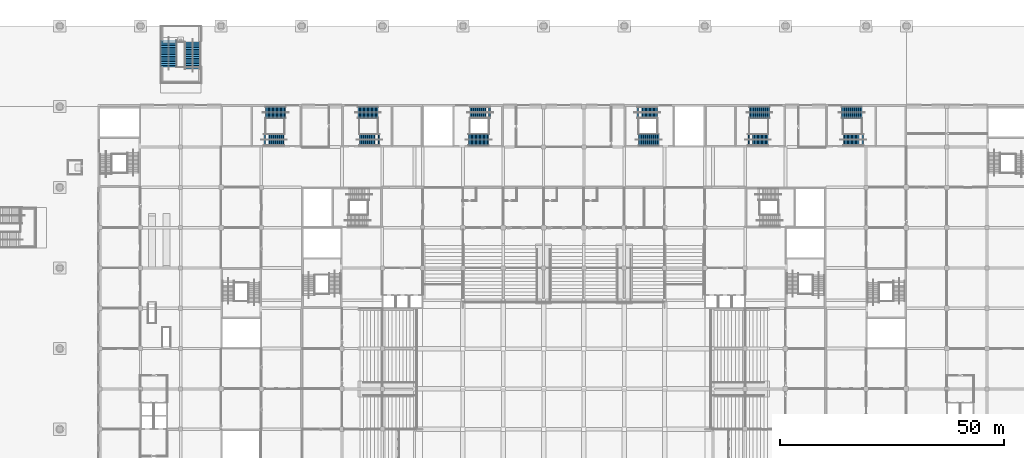
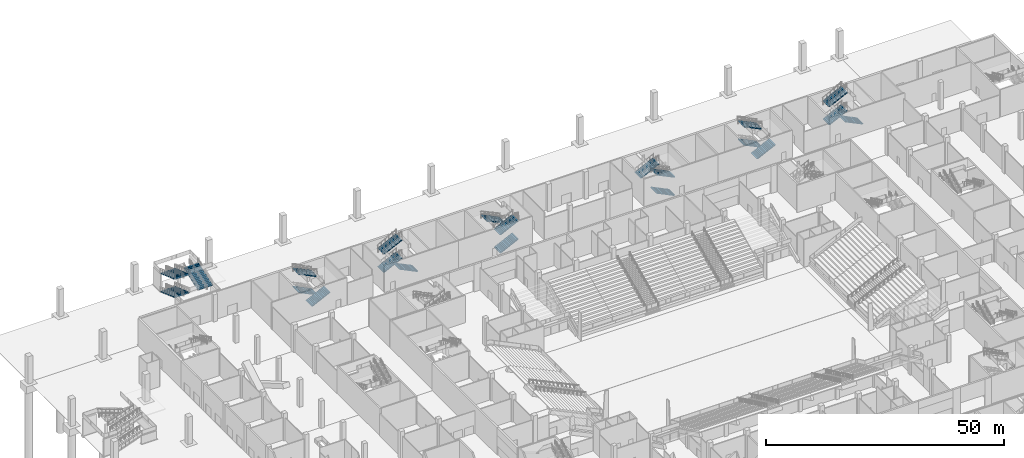
# One storey, part 46 of 92: 21 stair flights, 7 elements without a shape of their own.
"""IFC4 building model written with IfcOpenShell, lengths in metres."""

from ifc_helpers import new_model, si_unit, direction, frame, origin, place, context, subcontext, project, spatial, polyline, outline, extrude, material, type_object, element, aggregate, save


model = new_model("IFC4")

# Units and contexts
model_context = context("Model", 3, precision=1e-05, world=origin(), true_north=direction((0.0, 1.0)))
body_context = subcontext(model_context, "Body", "Model", "MODEL_VIEW")
ifc_project = project(units=[si_unit("LENGTHUNIT", "METRE"), si_unit("AREAUNIT", "SQUARE_METRE"), si_unit("VOLUMEUNIT", "CUBIC_METRE"), si_unit("PLANEANGLEUNIT", "RADIAN"), si_unit("MASSUNIT", "GRAM", prefix="KILO")], contexts=[model_context])

# Site, building, storey
site_placement = place(None, origin())
site = spatial("IfcSite", under=ifc_project, at=site_placement, CompositionType="ELEMENT")
building_placement = place(site_placement, origin())
building = spatial("IfcBuilding", under=site, at=building_placement, Name="Silverbay Arena", CompositionType="ELEMENT")
storey_placement = place(building_placement, origin())
storey = spatial("IfcBuildingStorey", under=building, at=storey_placement, Name="L00", CompositionType="ELEMENT", Elevation=0.0)

# Stair, stair flights
ifc_material_1 = material(Name="Concrete Grade C45", Category="concrete")
stair_type_1 = type_object("IfcStairType", Name="Stair 2600 wide 48 risers 145.8 x 300", PredefinedType="HALF_TURN_STAIR", material=ifc_material_1)
stair_1_placement = place(storey_placement, origin())
stair_1 = element("IfcStair", 1, at=stair_1_placement, inside=storey, type_object=stair_type_1, Name="Stair ST-N1 L00 to L01", PredefinedType="HALF_TURN_STAIR")
ifc_material_2 = material(Name="Concrete Grade C45", Category="concrete")
stair_flight_type_1 = type_object("IfcStairFlightType", Name="Stair flight 2600 wide 16 risers 145.8 x 300", PredefinedType="STRAIGHT", material=ifc_material_2)
stair_flight_1_placement = place(storey_placement, frame((84.556884765625, 142.699951171875, 0.0), z_axis=(0.0, 0.0, 1.0), x_axis=(1.0, 0.0, 0.0)))
stair_flight_1 = element("IfcStairFlight", 2, at=stair_flight_1_placement, type_object=stair_flight_type_1, Name="Stair ST-N1 L00 to L01 flight 1", NumberOfRisers=16, NumberOfTreads=15, PredefinedType="STRAIGHT", RiserHeight=0.145833333, TreadLength=0.3, context=body_context, shape_type="SweptSolid", body=[
    extrude(outline(polyline([(0.0, 0.0), (0.0, 0.145751953125), (0.300048828125, 0.145751953125), (0.300048828125, 0.291748046875), (0.60009765625, 0.291748046875), (0.60009765625, 0.4375), (0.89990234375, 0.4375), (0.89990234375, 0.583251953125), (1.199951171875, 0.583251953125), (1.199951171875, 0.729248046875), (1.5, 0.729248046875), (1.5, 0.875), (1.800048828125, 0.875), (1.800048828125, 1.020751953125), (2.10009765625, 1.020751953125), (2.10009765625, 1.166748046875), (2.39990234375, 1.166748046875), (2.39990234375, 1.3125), (2.699951171875, 1.3125), (2.699951171875, 1.458251953125), (3.0, 1.458251953125), (3.0, 1.604248046875), (3.300048828125, 1.604248046875), (3.300048828125, 1.75), (3.60009765625, 1.75), (3.60009765625, 1.895751953125), (3.89990234375, 1.895751953125), (3.89990234375, 2.041748046875), (4.199951171875, 2.041748046875), (4.199951171875, 2.1875), (4.5, 2.1875), (4.5, 2.020751953125), (0.3427734375, 0.0), (0.0, 0.0)])), frame((0.0, 1.300048828125, 0.0), z_axis=(0.0, -1.0, 0.0), x_axis=(1.0, 0.0, 0.0)), (0.0, 0.0, 1.0), 2.60009765625),
])
stair_flight_2_placement = place(storey_placement, frame((89.39990234375, 136.60009765625, 2.333251953125), z_axis=(0.0, 0.0, 1.0), x_axis=(-1.0, 0.0, 0.0)))
stair_flight_2 = element("IfcStairFlight", 3, at=stair_flight_2_placement, type_object=stair_flight_type_1, Name="Stair ST-N1 L00 to L01 flight 2", NumberOfRisers=16, NumberOfTreads=15, PredefinedType="STRAIGHT", RiserHeight=0.145833333, TreadLength=0.3, context=body_context, shape_type="SweptSolid", body=[
    extrude(outline(polyline([(0.0, 0.0), (0.0, 0.145751953125), (0.300048828125, 0.145751953125), (0.300048828125, 0.291748046875), (0.60009765625, 0.291748046875), (0.60009765625, 0.4375), (0.89990234375, 0.4375), (0.89990234375, 0.583251953125), (1.199951171875, 0.583251953125), (1.199951171875, 0.729248046875), (1.5, 0.729248046875), (1.5, 0.875), (1.800048828125, 0.875), (1.800048828125, 1.020751953125), (2.10009765625, 1.020751953125), (2.10009765625, 1.166748046875), (2.39990234375, 1.166748046875), (2.39990234375, 1.3125), (2.699951171875, 1.3125), (2.699951171875, 1.458251953125), (3.0, 1.458251953125), (3.0, 1.604248046875), (3.300048828125, 1.604248046875), (3.300048828125, 1.75), (3.60009765625, 1.75), (3.60009765625, 1.895751953125), (3.89990234375, 1.895751953125), (3.89990234375, 2.041748046875), (4.199951171875, 2.041748046875), (4.199951171875, 2.1875), (4.5, 2.1875), (4.5, 2.020751953125), (0.3427734375, 0.0), (0.0, 0.0)])), frame((0.0, 1.300048828125, 0.0), z_axis=(0.0, -1.0, 0.0), x_axis=(1.0, 0.0, 0.0)), (0.0, 0.0, 1.0), 2.60009765625),
])
stair_flight_3_placement = place(storey_placement, frame((84.556884765625, 142.699951171875, 4.666748046875), z_axis=(0.0, 0.0, 1.0), x_axis=(1.0, 0.0, 0.0)))
stair_flight_3 = element("IfcStairFlight", 4, at=stair_flight_3_placement, type_object=stair_flight_type_1, Name="Stair ST-N1 L00 to L01 flight 3", NumberOfRisers=16, NumberOfTreads=15, PredefinedType="STRAIGHT", RiserHeight=0.145833333, TreadLength=0.3, context=body_context, shape_type="SweptSolid", body=[
    extrude(outline(polyline([(0.0, 0.0), (0.0, 0.145751953125), (0.300048828125, 0.145751953125), (0.300048828125, 0.291748046875), (0.60009765625, 0.291748046875), (0.60009765625, 0.4375), (0.89990234375, 0.4375), (0.89990234375, 0.583251953125), (1.199951171875, 0.583251953125), (1.199951171875, 0.729248046875), (1.5, 0.729248046875), (1.5, 0.875), (1.800048828125, 0.875), (1.800048828125, 1.020751953125), (2.10009765625, 1.020751953125), (2.10009765625, 1.166748046875), (2.39990234375, 1.166748046875), (2.39990234375, 1.3125), (2.699951171875, 1.3125), (2.699951171875, 1.458251953125), (3.0, 1.458251953125), (3.0, 1.604248046875), (3.300048828125, 1.604248046875), (3.300048828125, 1.75), (3.60009765625, 1.75), (3.60009765625, 1.895751953125), (3.89990234375, 1.895751953125), (3.89990234375, 2.041748046875), (4.199951171875, 2.041748046875), (4.199951171875, 2.1875), (4.5, 2.1875), (4.5, 2.020751953125), (0.3427734375, 0.0), (0.0, 0.0)])), frame((0.0, 1.300048828125, 0.0), z_axis=(0.0, -1.0, 0.0), x_axis=(1.0, 0.0, 0.0)), (0.0, 0.0, 1.0), 2.60009765625),
])
aggregate(stair_1, [stair_flight_1, stair_flight_2, stair_flight_3])

stair_2_placement = place(storey_placement, origin())
stair_2 = element("IfcStair", 5, at=stair_2_placement, inside=storey, type_object=stair_type_1, Name="Stair ST-N2 L00 to L01", PredefinedType="HALF_TURN_STAIR")
stair_flight_4_placement = place(storey_placement, frame((109.2568359375, 136.60009765625, 0.0), z_axis=(0.0, 0.0, 1.0), x_axis=(1.0, 0.0, 0.0)))
stair_flight_4 = element("IfcStairFlight", 6, at=stair_flight_4_placement, type_object=stair_flight_type_1, Name="Stair ST-N2 L00 to L01 flight 1", NumberOfRisers=16, NumberOfTreads=15, PredefinedType="STRAIGHT", RiserHeight=0.145833333, TreadLength=0.3, context=body_context, shape_type="SweptSolid", body=[
    extrude(outline(polyline([(0.0, 0.0), (0.0, 0.145751953125), (0.300048828125, 0.145751953125), (0.300048828125, 0.291748046875), (0.60009765625, 0.291748046875), (0.60009765625, 0.4375), (0.89990234375, 0.4375), (0.89990234375, 0.583251953125), (1.199951171875, 0.583251953125), (1.199951171875, 0.729248046875), (1.5, 0.729248046875), (1.5, 0.875), (1.800048828125, 0.875), (1.800048828125, 1.020751953125), (2.10009765625, 1.020751953125), (2.10009765625, 1.166748046875), (2.39990234375, 1.166748046875), (2.39990234375, 1.3125), (2.699951171875, 1.3125), (2.699951171875, 1.458251953125), (3.0, 1.458251953125), (3.0, 1.604248046875), (3.300048828125, 1.604248046875), (3.300048828125, 1.75), (3.60009765625, 1.75), (3.60009765625, 1.895751953125), (3.89990234375, 1.895751953125), (3.89990234375, 2.041748046875), (4.199951171875, 2.041748046875), (4.199951171875, 2.1875), (4.5, 2.1875), (4.5, 2.020751953125), (0.3427734375, 0.0), (0.0, 0.0)])), frame((0.0, 1.300048828125, 0.0), z_axis=(0.0, -1.0, 0.0), x_axis=(1.0, 0.0, 0.0)), (0.0, 0.0, 1.0), 2.60009765625),
])
stair_flight_5_placement = place(storey_placement, frame((114.10009765625, 142.699951171875, 2.333251953125), z_axis=(0.0, 0.0, 1.0), x_axis=(-1.0, 0.0, 0.0)))
stair_flight_5 = element("IfcStairFlight", 7, at=stair_flight_5_placement, type_object=stair_flight_type_1, Name="Stair ST-N2 L00 to L01 flight 2", NumberOfRisers=16, NumberOfTreads=15, PredefinedType="STRAIGHT", RiserHeight=0.145833333, TreadLength=0.3, context=body_context, shape_type="SweptSolid", body=[
    extrude(outline(polyline([(0.0, 0.0), (0.0, 0.145751953125), (0.300048828125, 0.145751953125), (0.300048828125, 0.291748046875), (0.60009765625, 0.291748046875), (0.60009765625, 0.4375), (0.89990234375, 0.4375), (0.89990234375, 0.583251953125), (1.199951171875, 0.583251953125), (1.199951171875, 0.729248046875), (1.5, 0.729248046875), (1.5, 0.875), (1.800048828125, 0.875), (1.800048828125, 1.020751953125), (2.10009765625, 1.020751953125), (2.10009765625, 1.166748046875), (2.39990234375, 1.166748046875), (2.39990234375, 1.3125), (2.699951171875, 1.3125), (2.699951171875, 1.458251953125), (3.0, 1.458251953125), (3.0, 1.604248046875), (3.300048828125, 1.604248046875), (3.300048828125, 1.75), (3.60009765625, 1.75), (3.60009765625, 1.895751953125), (3.89990234375, 1.895751953125), (3.89990234375, 2.041748046875), (4.199951171875, 2.041748046875), (4.199951171875, 2.1875), (4.5, 2.1875), (4.5, 2.020751953125), (0.3427734375, 0.0), (0.0, 0.0)])), frame((0.0, 1.300048828125, 0.0), z_axis=(0.0, -1.0, 0.0), x_axis=(1.0, 0.0, 0.0)), (0.0, 0.0, 1.0), 2.60009765625),
])
stair_flight_6_placement = place(storey_placement, frame((109.2568359375, 136.60009765625, 4.666748046875), z_axis=(0.0, 0.0, 1.0), x_axis=(1.0, 0.0, 0.0)))
stair_flight_6 = element("IfcStairFlight", 8, at=stair_flight_6_placement, type_object=stair_flight_type_1, Name="Stair ST-N2 L00 to L01 flight 3", NumberOfRisers=16, NumberOfTreads=15, PredefinedType="STRAIGHT", RiserHeight=0.145833333, TreadLength=0.3, context=body_context, shape_type="SweptSolid", body=[
    extrude(outline(polyline([(0.0, 0.0), (0.0, 0.145751953125), (0.300048828125, 0.145751953125), (0.300048828125, 0.291748046875), (0.60009765625, 0.291748046875), (0.60009765625, 0.4375), (0.89990234375, 0.4375), (0.89990234375, 0.583251953125), (1.199951171875, 0.583251953125), (1.199951171875, 0.729248046875), (1.5, 0.729248046875), (1.5, 0.875), (1.800048828125, 0.875), (1.800048828125, 1.020751953125), (2.10009765625, 1.020751953125), (2.10009765625, 1.166748046875), (2.39990234375, 1.166748046875), (2.39990234375, 1.3125), (2.699951171875, 1.3125), (2.699951171875, 1.458251953125), (3.0, 1.458251953125), (3.0, 1.604248046875), (3.300048828125, 1.604248046875), (3.300048828125, 1.75), (3.60009765625, 1.75), (3.60009765625, 1.895751953125), (3.89990234375, 1.895751953125), (3.89990234375, 2.041748046875), (4.199951171875, 2.041748046875), (4.199951171875, 2.1875), (4.5, 2.1875), (4.5, 2.020751953125), (0.3427734375, 0.0), (0.0, 0.0)])), frame((0.0, 1.300048828125, 0.0), z_axis=(0.0, -1.0, 0.0), x_axis=(1.0, 0.0, 0.0)), (0.0, 0.0, 1.0), 2.60009765625),
])
aggregate(stair_2, [stair_flight_4, stair_flight_5, stair_flight_6])

stair_3_placement = place(storey_placement, origin())
stair_3 = element("IfcStair", 9, at=stair_3_placement, inside=storey, type_object=stair_type_1, Name="Stair ST-N3 L00 to L01", PredefinedType="HALF_TURN_STAIR")
stair_flight_7_placement = place(storey_placement, frame((151.7431640625, 136.60009765625, 0.0), z_axis=(0.0, 0.0, 1.0), x_axis=(-1.0, 0.0, 0.0)))
stair_flight_7 = element("IfcStairFlight", 10, at=stair_flight_7_placement, type_object=stair_flight_type_1, Name="Stair ST-N3 L00 to L01 flight 1", NumberOfRisers=16, NumberOfTreads=15, PredefinedType="STRAIGHT", RiserHeight=0.145833333, TreadLength=0.3, context=body_context, shape_type="SweptSolid", body=[
    extrude(outline(polyline([(0.0, 0.0), (0.0, 0.145751953125), (0.300048828125, 0.145751953125), (0.300048828125, 0.291748046875), (0.60009765625, 0.291748046875), (0.60009765625, 0.4375), (0.89990234375, 0.4375), (0.89990234375, 0.583251953125), (1.199951171875, 0.583251953125), (1.199951171875, 0.729248046875), (1.5, 0.729248046875), (1.5, 0.875), (1.800048828125, 0.875), (1.800048828125, 1.020751953125), (2.10009765625, 1.020751953125), (2.10009765625, 1.166748046875), (2.39990234375, 1.166748046875), (2.39990234375, 1.3125), (2.699951171875, 1.3125), (2.699951171875, 1.458251953125), (3.0, 1.458251953125), (3.0, 1.604248046875), (3.300048828125, 1.604248046875), (3.300048828125, 1.75), (3.60009765625, 1.75), (3.60009765625, 1.895751953125), (3.89990234375, 1.895751953125), (3.89990234375, 2.041748046875), (4.199951171875, 2.041748046875), (4.199951171875, 2.1875), (4.5, 2.1875), (4.5, 2.020751953125), (0.3427734375, 0.0), (0.0, 0.0)])), frame((0.0, 1.300048828125, 0.0), z_axis=(0.0, -1.0, 0.0), x_axis=(1.0, 0.0, 0.0)), (0.0, 0.0, 1.0), 2.60009765625),
])
stair_flight_8_placement = place(storey_placement, frame((146.89990234375, 142.699951171875, 2.333251953125), z_axis=(0.0, 0.0, 1.0), x_axis=(1.0, 0.0, 0.0)))
stair_flight_8 = element("IfcStairFlight", 11, at=stair_flight_8_placement, type_object=stair_flight_type_1, Name="Stair ST-N3 L00 to L01 flight 2", NumberOfRisers=16, NumberOfTreads=15, PredefinedType="STRAIGHT", RiserHeight=0.145833333, TreadLength=0.3, context=body_context, shape_type="SweptSolid", body=[
    extrude(outline(polyline([(0.0, 0.0), (0.0, 0.145751953125), (0.300048828125, 0.145751953125), (0.300048828125, 0.291748046875), (0.60009765625, 0.291748046875), (0.60009765625, 0.4375), (0.89990234375, 0.4375), (0.89990234375, 0.583251953125), (1.199951171875, 0.583251953125), (1.199951171875, 0.729248046875), (1.5, 0.729248046875), (1.5, 0.875), (1.800048828125, 0.875), (1.800048828125, 1.020751953125), (2.10009765625, 1.020751953125), (2.10009765625, 1.166748046875), (2.39990234375, 1.166748046875), (2.39990234375, 1.3125), (2.699951171875, 1.3125), (2.699951171875, 1.458251953125), (3.0, 1.458251953125), (3.0, 1.604248046875), (3.300048828125, 1.604248046875), (3.300048828125, 1.75), (3.60009765625, 1.75), (3.60009765625, 1.895751953125), (3.89990234375, 1.895751953125), (3.89990234375, 2.041748046875), (4.199951171875, 2.041748046875), (4.199951171875, 2.1875), (4.5, 2.1875), (4.5, 2.020751953125), (0.3427734375, 0.0), (0.0, 0.0)])), frame((0.0, 1.300048828125, 0.0), z_axis=(0.0, -1.0, 0.0), x_axis=(1.0, 0.0, 0.0)), (0.0, 0.0, 1.0), 2.60009765625),
])
stair_flight_9_placement = place(storey_placement, frame((151.7431640625, 136.60009765625, 4.666748046875), z_axis=(0.0, 0.0, 1.0), x_axis=(-1.0, 0.0, 0.0)))
stair_flight_9 = element("IfcStairFlight", 12, at=stair_flight_9_placement, type_object=stair_flight_type_1, Name="Stair ST-N3 L00 to L01 flight 3", NumberOfRisers=16, NumberOfTreads=15, PredefinedType="STRAIGHT", RiserHeight=0.145833333, TreadLength=0.3, context=body_context, shape_type="SweptSolid", body=[
    extrude(outline(polyline([(0.0, 0.0), (0.0, 0.145751953125), (0.300048828125, 0.145751953125), (0.300048828125, 0.291748046875), (0.60009765625, 0.291748046875), (0.60009765625, 0.4375), (0.89990234375, 0.4375), (0.89990234375, 0.583251953125), (1.199951171875, 0.583251953125), (1.199951171875, 0.729248046875), (1.5, 0.729248046875), (1.5, 0.875), (1.800048828125, 0.875), (1.800048828125, 1.020751953125), (2.10009765625, 1.020751953125), (2.10009765625, 1.166748046875), (2.39990234375, 1.166748046875), (2.39990234375, 1.3125), (2.699951171875, 1.3125), (2.699951171875, 1.458251953125), (3.0, 1.458251953125), (3.0, 1.604248046875), (3.300048828125, 1.604248046875), (3.300048828125, 1.75), (3.60009765625, 1.75), (3.60009765625, 1.895751953125), (3.89990234375, 1.895751953125), (3.89990234375, 2.041748046875), (4.199951171875, 2.041748046875), (4.199951171875, 2.1875), (4.5, 2.1875), (4.5, 2.020751953125), (0.3427734375, 0.0), (0.0, 0.0)])), frame((0.0, 1.300048828125, 0.0), z_axis=(0.0, -1.0, 0.0), x_axis=(1.0, 0.0, 0.0)), (0.0, 0.0, 1.0), 2.60009765625),
])
aggregate(stair_3, [stair_flight_7, stair_flight_8, stair_flight_9])

stair_4_placement = place(storey_placement, origin())
stair_4 = element("IfcStair", 13, at=stair_4_placement, inside=storey, type_object=stair_type_1, Name="Stair ST-N4 L00 to L01", PredefinedType="HALF_TURN_STAIR")
stair_flight_10_placement = place(storey_placement, frame((176.443115234375, 142.699951171875, 0.0), z_axis=(0.0, 0.0, 1.0), x_axis=(-1.0, 0.0, 0.0)))
stair_flight_10 = element("IfcStairFlight", 14, at=stair_flight_10_placement, type_object=stair_flight_type_1, Name="Stair ST-N4 L00 to L01 flight 1", NumberOfRisers=16, NumberOfTreads=15, PredefinedType="STRAIGHT", RiserHeight=0.145833333, TreadLength=0.3, context=body_context, shape_type="SweptSolid", body=[
    extrude(outline(polyline([(0.0, 0.0), (0.0, 0.145751953125), (0.300048828125, 0.145751953125), (0.300048828125, 0.291748046875), (0.60009765625, 0.291748046875), (0.60009765625, 0.4375), (0.89990234375, 0.4375), (0.89990234375, 0.583251953125), (1.199951171875, 0.583251953125), (1.199951171875, 0.729248046875), (1.5, 0.729248046875), (1.5, 0.875), (1.800048828125, 0.875), (1.800048828125, 1.020751953125), (2.10009765625, 1.020751953125), (2.10009765625, 1.166748046875), (2.39990234375, 1.166748046875), (2.39990234375, 1.3125), (2.699951171875, 1.3125), (2.699951171875, 1.458251953125), (3.0, 1.458251953125), (3.0, 1.604248046875), (3.300048828125, 1.604248046875), (3.300048828125, 1.75), (3.60009765625, 1.75), (3.60009765625, 1.895751953125), (3.89990234375, 1.895751953125), (3.89990234375, 2.041748046875), (4.199951171875, 2.041748046875), (4.199951171875, 2.1875), (4.5, 2.1875), (4.5, 2.020751953125), (0.3427734375, 0.0), (0.0, 0.0)])), frame((0.0, 1.300048828125, 0.0), z_axis=(0.0, -1.0, 0.0), x_axis=(1.0, 0.0, 0.0)), (0.0, 0.0, 1.0), 2.60009765625),
])
stair_flight_11_placement = place(storey_placement, frame((171.60009765625, 136.60009765625, 2.333251953125), z_axis=(0.0, 0.0, 1.0), x_axis=(1.0, 0.0, 0.0)))
stair_flight_11 = element("IfcStairFlight", 15, at=stair_flight_11_placement, type_object=stair_flight_type_1, Name="Stair ST-N4 L00 to L01 flight 2", NumberOfRisers=16, NumberOfTreads=15, PredefinedType="STRAIGHT", RiserHeight=0.145833333, TreadLength=0.3, context=body_context, shape_type="SweptSolid", body=[
    extrude(outline(polyline([(0.0, 0.0), (0.0, 0.145751953125), (0.300048828125, 0.145751953125), (0.300048828125, 0.291748046875), (0.60009765625, 0.291748046875), (0.60009765625, 0.4375), (0.89990234375, 0.4375), (0.89990234375, 0.583251953125), (1.199951171875, 0.583251953125), (1.199951171875, 0.729248046875), (1.5, 0.729248046875), (1.5, 0.875), (1.800048828125, 0.875), (1.800048828125, 1.020751953125), (2.10009765625, 1.020751953125), (2.10009765625, 1.166748046875), (2.39990234375, 1.166748046875), (2.39990234375, 1.3125), (2.699951171875, 1.3125), (2.699951171875, 1.458251953125), (3.0, 1.458251953125), (3.0, 1.604248046875), (3.300048828125, 1.604248046875), (3.300048828125, 1.75), (3.60009765625, 1.75), (3.60009765625, 1.895751953125), (3.89990234375, 1.895751953125), (3.89990234375, 2.041748046875), (4.199951171875, 2.041748046875), (4.199951171875, 2.1875), (4.5, 2.1875), (4.5, 2.020751953125), (0.3427734375, 0.0), (0.0, 0.0)])), frame((0.0, 1.300048828125, 0.0), z_axis=(0.0, -1.0, 0.0), x_axis=(1.0, 0.0, 0.0)), (0.0, 0.0, 1.0), 2.60009765625),
])
stair_flight_12_placement = place(storey_placement, frame((176.443115234375, 142.699951171875, 4.666748046875), z_axis=(0.0, 0.0, 1.0), x_axis=(-1.0, 0.0, 0.0)))
stair_flight_12 = element("IfcStairFlight", 16, at=stair_flight_12_placement, type_object=stair_flight_type_1, Name="Stair ST-N4 L00 to L01 flight 3", NumberOfRisers=16, NumberOfTreads=15, PredefinedType="STRAIGHT", RiserHeight=0.145833333, TreadLength=0.3, context=body_context, shape_type="SweptSolid", body=[
    extrude(outline(polyline([(0.0, 0.0), (0.0, 0.145751953125), (0.300048828125, 0.145751953125), (0.300048828125, 0.291748046875), (0.60009765625, 0.291748046875), (0.60009765625, 0.4375), (0.89990234375, 0.4375), (0.89990234375, 0.583251953125), (1.199951171875, 0.583251953125), (1.199951171875, 0.729248046875), (1.5, 0.729248046875), (1.5, 0.875), (1.800048828125, 0.875), (1.800048828125, 1.020751953125), (2.10009765625, 1.020751953125), (2.10009765625, 1.166748046875), (2.39990234375, 1.166748046875), (2.39990234375, 1.3125), (2.699951171875, 1.3125), (2.699951171875, 1.458251953125), (3.0, 1.458251953125), (3.0, 1.604248046875), (3.300048828125, 1.604248046875), (3.300048828125, 1.75), (3.60009765625, 1.75), (3.60009765625, 1.895751953125), (3.89990234375, 1.895751953125), (3.89990234375, 2.041748046875), (4.199951171875, 2.041748046875), (4.199951171875, 2.1875), (4.5, 2.1875), (4.5, 2.020751953125), (0.3427734375, 0.0), (0.0, 0.0)])), frame((0.0, 1.300048828125, 0.0), z_axis=(0.0, -1.0, 0.0), x_axis=(1.0, 0.0, 0.0)), (0.0, 0.0, 1.0), 2.60009765625),
])
aggregate(stair_4, [stair_flight_10, stair_flight_11, stair_flight_12])

stair_5_placement = place(storey_placement, origin())
stair_5 = element("IfcStair", 17, at=stair_5_placement, inside=storey, type_object=stair_type_1, Name="Stair ST-N5 L00 to L01", PredefinedType="HALF_TURN_STAIR")
stair_flight_13_placement = place(storey_placement, frame((68.443115234375, 142.699951171875, 0.0), z_axis=(0.0, 0.0, 1.0), x_axis=(-1.0, 0.0, 0.0)))
stair_flight_13 = element("IfcStairFlight", 18, at=stair_flight_13_placement, type_object=stair_flight_type_1, Name="Stair ST-N5 L00 to L01 flight 1", NumberOfRisers=16, NumberOfTreads=15, PredefinedType="STRAIGHT", RiserHeight=0.145833333, TreadLength=0.3, context=body_context, shape_type="SweptSolid", body=[
    extrude(outline(polyline([(0.0, 0.0), (0.0, 0.145751953125), (0.300048828125, 0.145751953125), (0.300048828125, 0.291748046875), (0.60009765625, 0.291748046875), (0.60009765625, 0.4375), (0.89990234375, 0.4375), (0.89990234375, 0.583251953125), (1.199951171875, 0.583251953125), (1.199951171875, 0.729248046875), (1.5, 0.729248046875), (1.5, 0.875), (1.800048828125, 0.875), (1.800048828125, 1.020751953125), (2.10009765625, 1.020751953125), (2.10009765625, 1.166748046875), (2.39990234375, 1.166748046875), (2.39990234375, 1.3125), (2.699951171875, 1.3125), (2.699951171875, 1.458251953125), (3.0, 1.458251953125), (3.0, 1.604248046875), (3.300048828125, 1.604248046875), (3.300048828125, 1.75), (3.60009765625, 1.75), (3.60009765625, 1.895751953125), (3.89990234375, 1.895751953125), (3.89990234375, 2.041748046875), (4.199951171875, 2.041748046875), (4.199951171875, 2.1875), (4.5, 2.1875), (4.5, 2.020751953125), (0.3427734375, 0.0), (0.0, 0.0)])), frame((0.0, 1.300048828125, 0.0), z_axis=(0.0, -1.0, 0.0), x_axis=(1.0, 0.0, 0.0)), (0.0, 0.0, 1.0), 2.60009765625),
])
stair_flight_14_placement = place(storey_placement, frame((63.60009765625, 136.60009765625, 2.333251953125), z_axis=(0.0, 0.0, 1.0), x_axis=(1.0, 0.0, 0.0)))
stair_flight_14 = element("IfcStairFlight", 19, at=stair_flight_14_placement, type_object=stair_flight_type_1, Name="Stair ST-N5 L00 to L01 flight 2", NumberOfRisers=16, NumberOfTreads=15, PredefinedType="STRAIGHT", RiserHeight=0.145833333, TreadLength=0.3, context=body_context, shape_type="SweptSolid", body=[
    extrude(outline(polyline([(0.0, 0.0), (0.0, 0.145751953125), (0.300048828125, 0.145751953125), (0.300048828125, 0.291748046875), (0.60009765625, 0.291748046875), (0.60009765625, 0.4375), (0.89990234375, 0.4375), (0.89990234375, 0.583251953125), (1.199951171875, 0.583251953125), (1.199951171875, 0.729248046875), (1.5, 0.729248046875), (1.5, 0.875), (1.800048828125, 0.875), (1.800048828125, 1.020751953125), (2.10009765625, 1.020751953125), (2.10009765625, 1.166748046875), (2.39990234375, 1.166748046875), (2.39990234375, 1.3125), (2.699951171875, 1.3125), (2.699951171875, 1.458251953125), (3.0, 1.458251953125), (3.0, 1.604248046875), (3.300048828125, 1.604248046875), (3.300048828125, 1.75), (3.60009765625, 1.75), (3.60009765625, 1.895751953125), (3.89990234375, 1.895751953125), (3.89990234375, 2.041748046875), (4.199951171875, 2.041748046875), (4.199951171875, 2.1875), (4.5, 2.1875), (4.5, 2.020751953125), (0.3427734375, 0.0), (0.0, 0.0)])), frame((0.0, 1.300048828125, 0.0), z_axis=(0.0, -1.0, 0.0), x_axis=(1.0, 0.0, 0.0)), (0.0, 0.0, 1.0), 2.60009765625),
])
stair_flight_15_placement = place(storey_placement, frame((68.443115234375, 142.699951171875, 4.666748046875), z_axis=(0.0, 0.0, 1.0), x_axis=(-1.0, 0.0, 0.0)))
stair_flight_15 = element("IfcStairFlight", 20, at=stair_flight_15_placement, type_object=stair_flight_type_1, Name="Stair ST-N5 L00 to L01 flight 3", NumberOfRisers=16, NumberOfTreads=15, PredefinedType="STRAIGHT", RiserHeight=0.145833333, TreadLength=0.3, context=body_context, shape_type="SweptSolid", body=[
    extrude(outline(polyline([(0.0, 0.0), (0.0, 0.145751953125), (0.300048828125, 0.145751953125), (0.300048828125, 0.291748046875), (0.60009765625, 0.291748046875), (0.60009765625, 0.4375), (0.89990234375, 0.4375), (0.89990234375, 0.583251953125), (1.199951171875, 0.583251953125), (1.199951171875, 0.729248046875), (1.5, 0.729248046875), (1.5, 0.875), (1.800048828125, 0.875), (1.800048828125, 1.020751953125), (2.10009765625, 1.020751953125), (2.10009765625, 1.166748046875), (2.39990234375, 1.166748046875), (2.39990234375, 1.3125), (2.699951171875, 1.3125), (2.699951171875, 1.458251953125), (3.0, 1.458251953125), (3.0, 1.604248046875), (3.300048828125, 1.604248046875), (3.300048828125, 1.75), (3.60009765625, 1.75), (3.60009765625, 1.895751953125), (3.89990234375, 1.895751953125), (3.89990234375, 2.041748046875), (4.199951171875, 2.041748046875), (4.199951171875, 2.1875), (4.5, 2.1875), (4.5, 2.020751953125), (0.3427734375, 0.0), (0.0, 0.0)])), frame((0.0, 1.300048828125, 0.0), z_axis=(0.0, -1.0, 0.0), x_axis=(1.0, 0.0, 0.0)), (0.0, 0.0, 1.0), 2.60009765625),
])
aggregate(stair_5, [stair_flight_13, stair_flight_14, stair_flight_15])

stair_6_placement = place(storey_placement, origin())
stair_6 = element("IfcStair", 21, at=stair_6_placement, inside=storey, type_object=stair_type_1, Name="Stair ST-N6 L00 to L01", PredefinedType="HALF_TURN_STAIR")
stair_flight_16_placement = place(storey_placement, frame((192.556884765625, 142.699951171875, 0.0), z_axis=(0.0, 0.0, 1.0), x_axis=(1.0, 0.0, 0.0)))
stair_flight_16 = element("IfcStairFlight", 22, at=stair_flight_16_placement, type_object=stair_flight_type_1, Name="Stair ST-N6 L00 to L01 flight 1", NumberOfRisers=16, NumberOfTreads=15, PredefinedType="STRAIGHT", RiserHeight=0.145833333, TreadLength=0.3, context=body_context, shape_type="SweptSolid", body=[
    extrude(outline(polyline([(0.0, 0.0), (0.0, 0.145751953125), (0.300048828125, 0.145751953125), (0.300048828125, 0.291748046875), (0.60009765625, 0.291748046875), (0.60009765625, 0.4375), (0.89990234375, 0.4375), (0.89990234375, 0.583251953125), (1.199951171875, 0.583251953125), (1.199951171875, 0.729248046875), (1.5, 0.729248046875), (1.5, 0.875), (1.800048828125, 0.875), (1.800048828125, 1.020751953125), (2.10009765625, 1.020751953125), (2.10009765625, 1.166748046875), (2.39990234375, 1.166748046875), (2.39990234375, 1.3125), (2.699951171875, 1.3125), (2.699951171875, 1.458251953125), (3.0, 1.458251953125), (3.0, 1.604248046875), (3.300048828125, 1.604248046875), (3.300048828125, 1.75), (3.60009765625, 1.75), (3.60009765625, 1.895751953125), (3.89990234375, 1.895751953125), (3.89990234375, 2.041748046875), (4.199951171875, 2.041748046875), (4.199951171875, 2.1875), (4.5, 2.1875), (4.5, 2.020751953125), (0.3427734375, 0.0), (0.0, 0.0)])), frame((0.0, 1.300048828125, 0.0), z_axis=(0.0, -1.0, 0.0), x_axis=(1.0, 0.0, 0.0)), (0.0, 0.0, 1.0), 2.60009765625),
])
stair_flight_17_placement = place(storey_placement, frame((197.39990234375, 136.60009765625, 2.333251953125), z_axis=(0.0, 0.0, 1.0), x_axis=(-1.0, 0.0, 0.0)))
stair_flight_17 = element("IfcStairFlight", 23, at=stair_flight_17_placement, type_object=stair_flight_type_1, Name="Stair ST-N6 L00 to L01 flight 2", NumberOfRisers=16, NumberOfTreads=15, PredefinedType="STRAIGHT", RiserHeight=0.145833333, TreadLength=0.3, context=body_context, shape_type="SweptSolid", body=[
    extrude(outline(polyline([(0.0, 0.0), (0.0, 0.145751953125), (0.300048828125, 0.145751953125), (0.300048828125, 0.291748046875), (0.60009765625, 0.291748046875), (0.60009765625, 0.4375), (0.89990234375, 0.4375), (0.89990234375, 0.583251953125), (1.199951171875, 0.583251953125), (1.199951171875, 0.729248046875), (1.5, 0.729248046875), (1.5, 0.875), (1.800048828125, 0.875), (1.800048828125, 1.020751953125), (2.10009765625, 1.020751953125), (2.10009765625, 1.166748046875), (2.39990234375, 1.166748046875), (2.39990234375, 1.3125), (2.699951171875, 1.3125), (2.699951171875, 1.458251953125), (3.0, 1.458251953125), (3.0, 1.604248046875), (3.300048828125, 1.604248046875), (3.300048828125, 1.75), (3.60009765625, 1.75), (3.60009765625, 1.895751953125), (3.89990234375, 1.895751953125), (3.89990234375, 2.041748046875), (4.199951171875, 2.041748046875), (4.199951171875, 2.1875), (4.5, 2.1875), (4.5, 2.020751953125), (0.3427734375, 0.0), (0.0, 0.0)])), frame((0.0, 1.300048828125, 0.0), z_axis=(0.0, -1.0, 0.0), x_axis=(1.0, 0.0, 0.0)), (0.0, 0.0, 1.0), 2.60009765625),
])
stair_flight_18_placement = place(storey_placement, frame((192.556884765625, 142.699951171875, 4.666748046875), z_axis=(0.0, 0.0, 1.0), x_axis=(1.0, 0.0, 0.0)))
stair_flight_18 = element("IfcStairFlight", 24, at=stair_flight_18_placement, type_object=stair_flight_type_1, Name="Stair ST-N6 L00 to L01 flight 3", NumberOfRisers=16, NumberOfTreads=15, PredefinedType="STRAIGHT", RiserHeight=0.145833333, TreadLength=0.3, context=body_context, shape_type="SweptSolid", body=[
    extrude(outline(polyline([(0.0, 0.0), (0.0, 0.145751953125), (0.300048828125, 0.145751953125), (0.300048828125, 0.291748046875), (0.60009765625, 0.291748046875), (0.60009765625, 0.4375), (0.89990234375, 0.4375), (0.89990234375, 0.583251953125), (1.199951171875, 0.583251953125), (1.199951171875, 0.729248046875), (1.5, 0.729248046875), (1.5, 0.875), (1.800048828125, 0.875), (1.800048828125, 1.020751953125), (2.10009765625, 1.020751953125), (2.10009765625, 1.166748046875), (2.39990234375, 1.166748046875), (2.39990234375, 1.3125), (2.699951171875, 1.3125), (2.699951171875, 1.458251953125), (3.0, 1.458251953125), (3.0, 1.604248046875), (3.300048828125, 1.604248046875), (3.300048828125, 1.75), (3.60009765625, 1.75), (3.60009765625, 1.895751953125), (3.89990234375, 1.895751953125), (3.89990234375, 2.041748046875), (4.199951171875, 2.041748046875), (4.199951171875, 2.1875), (4.5, 2.1875), (4.5, 2.020751953125), (0.3427734375, 0.0), (0.0, 0.0)])), frame((0.0, 1.300048828125, 0.0), z_axis=(0.0, -1.0, 0.0), x_axis=(1.0, 0.0, 0.0)), (0.0, 0.0, 1.0), 2.60009765625),
])
aggregate(stair_6, [stair_flight_16, stair_flight_17, stair_flight_18])

ifc_material_3 = material(Name="Concrete Grade C45", Category="concrete")
stair_type_2 = type_object("IfcStairType", Name="Stair 3600 wide 48 risers 145.8 x 400", PredefinedType="HALF_TURN_STAIR", material=ifc_material_3)
stair_7_placement = place(storey_placement, origin())
stair_7 = element("IfcStair", 25, at=stair_7_placement, inside=storey, type_object=stair_type_2, Name="Deck stair DS4", PredefinedType="HALF_TURN_STAIR")
ifc_material_4 = material(Name="Concrete Grade C45", Category="concrete")
stair_flight_type_2 = type_object("IfcStairFlightType", Name="Stair flight 3600 wide 16 risers 145.8 x 400", PredefinedType="STRAIGHT", material=ifc_material_4)
stair_flight_19_placement = place(storey_placement, frame((42.300048828125, 158.837890625, 0.0), z_axis=(0.0, 0.0, 1.0), x_axis=(0.0, -1.0, 0.0)))
stair_flight_19 = element("IfcStairFlight", 26, at=stair_flight_19_placement, type_object=stair_flight_type_2, Name="Deck stair DS4 flight 1", NumberOfRisers=16, NumberOfTreads=15, PredefinedType="STRAIGHT", RiserHeight=0.145833333, TreadLength=0.4, context=body_context, shape_type="SweptSolid", body=[
    extrude(outline(polyline([(0.0, 0.0), (0.0, 0.145751953125), (0.39990234375, 0.145751953125), (0.39990234375, 0.291748046875), (0.800048828125, 0.291748046875), (0.800048828125, 0.4375), (1.199951171875, 0.4375), (1.199951171875, 0.583251953125), (1.60009765625, 0.583251953125), (1.60009765625, 0.729248046875), (2.0, 0.729248046875), (2.0, 0.875), (2.39990234375, 0.875), (2.39990234375, 1.020751953125), (2.800048828125, 1.020751953125), (2.800048828125, 1.166748046875), (3.199951171875, 1.166748046875), (3.199951171875, 1.3125), (3.60009765625, 1.3125), (3.60009765625, 1.458251953125), (4.0, 1.458251953125), (4.0, 1.604248046875), (4.39990234375, 1.604248046875), (4.39990234375, 1.75), (4.800048828125, 1.75), (4.800048828125, 1.895751953125), (5.199951171875, 1.895751953125), (5.199951171875, 2.041748046875), (5.60009765625, 2.041748046875), (5.60009765625, 2.1875), (6.0, 2.1875), (6.0, 2.02783203125), (0.437744140625, 0.0), (0.0, 0.0)])), frame((0.0, 1.800048828125, 0.0), z_axis=(0.0, -1.0, 0.0), x_axis=(1.0, 0.0, 0.0)), (0.0, 0.0, 1.0), 3.60009765625),
])
stair_flight_20_placement = place(storey_placement, frame((47.699951171875, 152.39990234375, 2.333251953125), z_axis=(0.0, 0.0, 1.0), x_axis=(0.0, 1.0, 0.0)))
stair_flight_20 = element("IfcStairFlight", 27, at=stair_flight_20_placement, type_object=stair_flight_type_2, Name="Deck stair DS4 flight 2", NumberOfRisers=16, NumberOfTreads=15, PredefinedType="STRAIGHT", RiserHeight=0.145833333, TreadLength=0.4, context=body_context, shape_type="SweptSolid", body=[
    extrude(outline(polyline([(0.0, 0.0), (0.0, 0.145751953125), (0.39990234375, 0.145751953125), (0.39990234375, 0.291748046875), (0.800048828125, 0.291748046875), (0.800048828125, 0.4375), (1.199951171875, 0.4375), (1.199951171875, 0.583251953125), (1.60009765625, 0.583251953125), (1.60009765625, 0.729248046875), (2.0, 0.729248046875), (2.0, 0.875), (2.39990234375, 0.875), (2.39990234375, 1.020751953125), (2.800048828125, 1.020751953125), (2.800048828125, 1.166748046875), (3.199951171875, 1.166748046875), (3.199951171875, 1.3125), (3.60009765625, 1.3125), (3.60009765625, 1.458251953125), (4.0, 1.458251953125), (4.0, 1.604248046875), (4.39990234375, 1.604248046875), (4.39990234375, 1.75), (4.800048828125, 1.75), (4.800048828125, 1.895751953125), (5.199951171875, 1.895751953125), (5.199951171875, 2.041748046875), (5.60009765625, 2.041748046875), (5.60009765625, 2.1875), (6.0, 2.1875), (6.0, 2.02783203125), (0.437744140625, 0.0), (0.0, 0.0)])), frame((0.0, 1.800048828125, 0.0), z_axis=(0.0, -1.0, 0.0), x_axis=(1.0, 0.0, 0.0)), (0.0, 0.0, 1.0), 3.60009765625),
])
stair_flight_21_placement = place(storey_placement, frame((42.300048828125, 158.837890625, 4.666748046875), z_axis=(0.0, 0.0, 1.0), x_axis=(0.0, -1.0, 0.0)))
stair_flight_21 = element("IfcStairFlight", 28, at=stair_flight_21_placement, type_object=stair_flight_type_2, Name="Deck stair DS4 flight 3", NumberOfRisers=16, NumberOfTreads=15, PredefinedType="STRAIGHT", RiserHeight=0.145833333, TreadLength=0.4, context=body_context, shape_type="SweptSolid", body=[
    extrude(outline(polyline([(0.0, 0.0), (0.0, 0.145751953125), (0.39990234375, 0.145751953125), (0.39990234375, 0.291748046875), (0.800048828125, 0.291748046875), (0.800048828125, 0.4375), (1.199951171875, 0.4375), (1.199951171875, 0.583251953125), (1.60009765625, 0.583251953125), (1.60009765625, 0.729248046875), (2.0, 0.729248046875), (2.0, 0.875), (2.39990234375, 0.875), (2.39990234375, 1.020751953125), (2.800048828125, 1.020751953125), (2.800048828125, 1.166748046875), (3.199951171875, 1.166748046875), (3.199951171875, 1.3125), (3.60009765625, 1.3125), (3.60009765625, 1.458251953125), (4.0, 1.458251953125), (4.0, 1.604248046875), (4.39990234375, 1.604248046875), (4.39990234375, 1.75), (4.800048828125, 1.75), (4.800048828125, 1.895751953125), (5.199951171875, 1.895751953125), (5.199951171875, 2.041748046875), (5.60009765625, 2.041748046875), (5.60009765625, 2.1875), (6.0, 2.1875), (6.0, 2.02783203125), (0.437744140625, 0.0), (0.0, 0.0)])), frame((0.0, 1.800048828125, 0.0), z_axis=(0.0, -1.0, 0.0), x_axis=(1.0, 0.0, 0.0)), (0.0, 0.0, 1.0), 3.60009765625),
])
aggregate(stair_7, [stair_flight_19, stair_flight_20, stair_flight_21])

save(model, "model.ifc")
